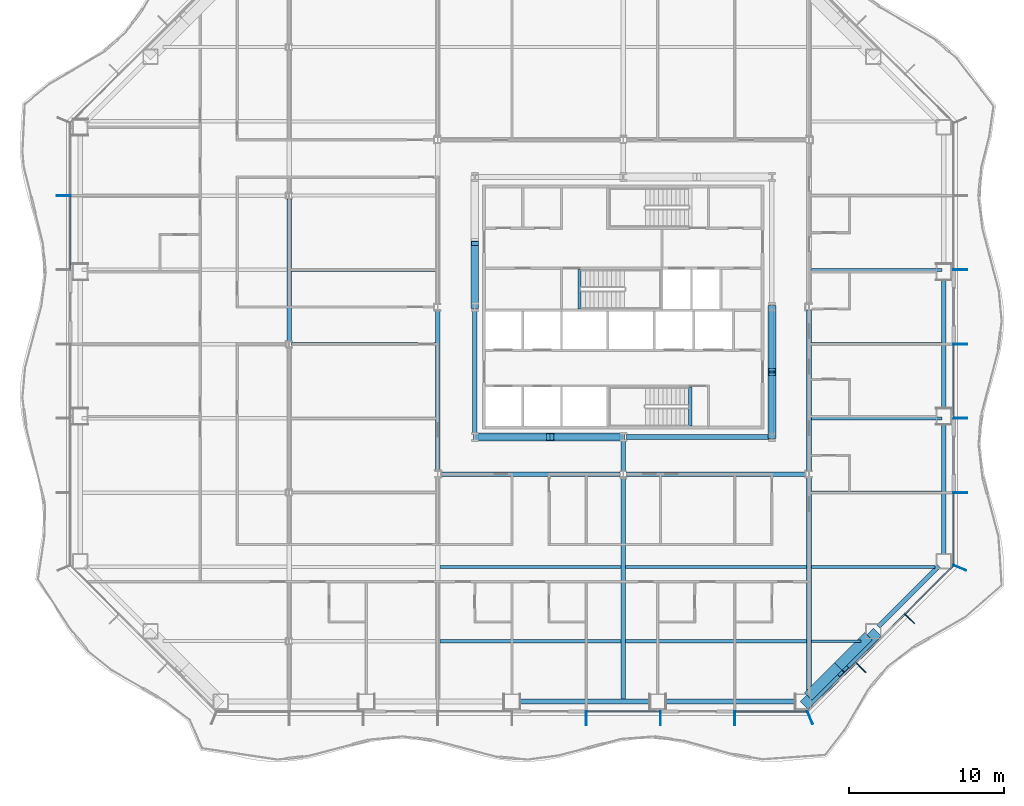
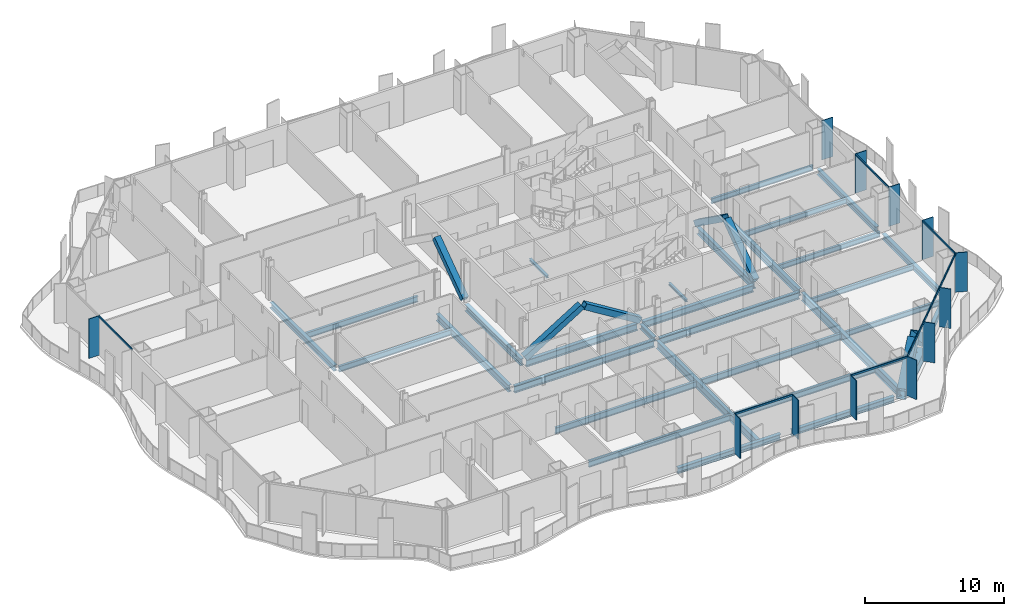
# One storey, part 2 of 21: 33 beams, 27 members, 4 elements without a shape of their own.
"""IFC4 building model written with IfcOpenShell, lengths in metres."""

from ifc_helpers import new_model, si_unit, direction, frame, origin, origin_2d, place, context, subcontext, project, spatial, rectangle, hollow_rectangle, i_section, extrude, material, material_profile, profile_set, type_object, element, aggregate, save


model = new_model("IFC4")

# Units and contexts
model_context = context("Model", 3, precision=1e-05, world=origin(), true_north=direction((0.0, 1.0)))
body_context = subcontext(model_context, "Body", "Model", "MODEL_VIEW")
ifc_project = project(units=[si_unit("LENGTHUNIT", "METRE"), si_unit("AREAUNIT", "SQUARE_METRE"), si_unit("VOLUMEUNIT", "CUBIC_METRE"), si_unit("PLANEANGLEUNIT", "RADIAN"), si_unit("MASSUNIT", "GRAM", prefix="KILO")], contexts=[model_context])

# Site, building, storey
site_placement = place(None, origin())
site = spatial("IfcSite", under=ifc_project, at=site_placement, CompositionType="ELEMENT")
building_placement = place(site_placement, origin())
building = spatial("IfcBuilding", under=site, at=building_placement, Name="Cairn Pilgrim Tower", CompositionType="ELEMENT")
storey_placement = place(building_placement, frame((0.0, 0.0, 43.800048828125)))
storey = spatial("IfcBuildingStorey", under=building, at=storey_placement, Name="L08", CompositionType="ELEMENT", Elevation=43.800048828125)

# Members
ifc_material_1 = material(Name="Structural steel S460M", Category="steel")
ifc_material_profile_1 = material_profile(ifc_material_1, hollow_rectangle(XDim=0.5, YDim=0.5, WallThickness=0.030029296875, at=origin_2d()), Name="BOX 500x500x30")
ifc_profile_set_1 = profile_set([ifc_material_profile_1], Name="Structural steel S460M")
member_type_1 = type_object("IfcMemberType", Name="BOX 500x500x30 BRACE", PredefinedType="BRACE", material=ifc_profile_set_1)
member_1_placement = place(storey_placement, frame((-2.3544921875, -6.0, 0.099853515625), z_axis=(0.850904896844, 0.0, 0.525319765978), x_axis=(0.0, 1.0, 0.0)))
element("IfcMember", 1, at=member_1_placement, inside=storey, type_object=member_type_1, Name="KB-1A", PredefinedType="BRACE", context=body_context, shape_type="SweptSolid", body=[
    extrude(hollow_rectangle(XDim=0.5, YDim=0.5, WallThickness=0.030029296875, at=origin_2d()), origin(), (0.0, 0.0, 1.0), 5.52490234375),
])
member_2_placement = place(storey_placement, frame((7.154541015625, -6.0, 0.099853515625), z_axis=(-0.850919818074, 0.0, 0.52529559603), x_axis=(0.0, -1.0, 0.0)))
element("IfcMember", 2, at=member_2_placement, inside=storey, type_object=member_type_1, Name="KB-1B", PredefinedType="BRACE", context=body_context, shape_type="SweptSolid", body=[
    extrude(hollow_rectangle(XDim=0.5, YDim=0.5, WallThickness=0.030029296875, at=origin_2d()), origin(), (0.0, 0.0, 1.0), 5.375),
])
for number, where, z_axis, x_axis, name in (
    (3, (16.800048828125, -5.95458984375, 0.099853515625), (0.0, 0.814060275911, 0.580780394972), (-1.0, 0.0, 0.0), "KB-2A"),
    (4, (16.800048828125, 2.3544921875, 0.099853515625), (0.0, -0.814043789138, 0.580803503232), (1.0, 0.0, 0.0), "KB-2B"),
    (5, (-2.39990234375, 2.4453125, 0.099853515625), (0.0, 0.814060275911, 0.580780394972), (-1.0, 0.0, 0.0), "KB-4B"),
):
    element("IfcMember", number, at=place(storey_placement, frame(where, z_axis=z_axis, x_axis=x_axis)), inside=storey, type_object=member_type_1, Name=name, PredefinedType="BRACE", context=body_context, shape_type="SweptSolid", body=[
        extrude(hollow_rectangle(XDim=0.5, YDim=0.5, WallThickness=0.030029296875, at=origin_2d()), origin(), (0.0, 0.0, 1.0), 4.9951171875),
    ])
ifc_material_profile_2 = material_profile(ifc_material_1, hollow_rectangle(XDim=0.699951171875, YDim=0.699951171875, WallThickness=0.0400390625, at=origin_2d()), Name="BOX 700x700x40")
ifc_profile_set_2 = profile_set([ifc_material_profile_2], Name="Structural steel S460M")
member_type_2 = type_object("IfcMemberType", Name="BOX 700x700x40 BRACE", PredefinedType="BRACE", material=ifc_profile_set_2)
member_3_placement = place(storey_placement, frame((19.0498046875, -23.181396484375, 0.14990234375), z_axis=(0.528096125699, 0.528096125699, 0.665002980477), x_axis=(-0.707106781187, 0.707106781187, 0.0)))
element("IfcMember", 6, at=member_3_placement, inside=storey, type_object=member_type_2, Name="XB-SE1-SE2-1", PredefinedType="BRACE", context=body_context, shape_type="SweptSolid", body=[
    extrude(hollow_rectangle(XDim=0.699951171875, YDim=0.699951171875, WallThickness=0.0400390625, at=origin_2d()), origin(), (0.0, 0.0, 1.0), 3.89990234375),
])
member_4_placement = place(storey_placement, frame((23.44482421875, -18.786376953125, 0.14990234375), z_axis=(-0.528068439288, -0.528068439288, 0.665046950866), x_axis=(0.707106781187, -0.707106781187, 0.0)))
element("IfcMember", 7, at=member_4_placement, inside=storey, type_object=member_type_2, Name="XB-SE1-SE2-2", PredefinedType="BRACE", context=body_context, shape_type="SweptSolid", body=[
    extrude(hollow_rectangle(XDim=0.699951171875, YDim=0.699951171875, WallThickness=0.0400390625, at=origin_2d()), origin(), (0.0, 0.0, 1.0), 3.899658203125),
])

# Beams
ifc_material_2 = material(Name="Structural steel S355J2", Category="steel")
ifc_material_profile_3 = material_profile(ifc_material_2, hollow_rectangle(XDim=0.699951171875, YDim=0.800048828125, WallThickness=0.0400390625, at=origin_2d()), Name="BOX 700x800x40")
ifc_profile_set_3 = profile_set([ifc_material_profile_3], Name="Structural steel S355J2")
beam_type_1 = type_object("IfcBeamType", Name="BOX 700x800x40 RING GIRDER", PredefinedType="SPANDREL", material=ifc_profile_set_3)
for number, where, z_axis, x_axis, name in (
    (8, (19.1455078125, -22.78173828125, -0.550048828125), (0.707106781187, 0.707106781187, 0.0), (-0.707106781187, 0.707106781187, 0.0), "RG1-SE1-SE2-1"),
    (9, (21.095458984375, -20.831787109375, -0.550048828125), (0.707106781187, 0.707106781187, 0.0), (-0.707106781187, 0.707106781187, 0.0), "RG1-SE1-SE2-2"),
):
    element("IfcBeam", number, at=place(storey_placement, frame(where, z_axis=z_axis, x_axis=x_axis)), inside=storey, type_object=beam_type_1, Name=name, PredefinedType="SPANDREL", context=body_context, shape_type="SweptSolid", body=[
        extrude(hollow_rectangle(XDim=0.699951171875, YDim=0.800048828125, WallThickness=0.0400390625, at=origin_2d()), origin(), (0.0, 0.0, 1.0), 2.757568359375),
    ])

# Curtain wall, members
ifc_material_3 = material(Name="Aluminium alloy 6063-T6 bronze anodised with Bronze tinted laminated low-E glass 8+16+8.8", Category="aluminium")
curtain_wall_type_1 = type_object("IfcCurtainWallType", Name="TOWER STICK CURTAIN WALL NS", PredefinedType="NOTDEFINED", material=ifc_material_3)
curtain_wall_1_placement = place(storey_placement, origin())
curtain_wall_1 = element("IfcCurtainWall", 10, at=curtain_wall_1_placement, inside=storey, type_object=curtain_wall_type_1, Name="Tower Stick Curtain Wall Ns S", PredefinedType="NOTDEFINED")
ifc_material_4 = material(Name="Aluminium alloy 6063-T6 bronze anodised", Category="aluminium")
ifc_material_profile_4 = material_profile(ifc_material_4, rectangle(XDim=0.89990234375, YDim=0.06005859375, at=origin_2d()), Name="FIN MULLION 60x900 BRONZE")
ifc_profile_set_4 = profile_set([ifc_material_profile_4], Name="Aluminium alloy 6063-T6 bronze anodised")
member_type_3 = type_object("IfcMemberType", Name="FIN MULLION 60x900 BRONZE", PredefinedType="MULLION", material=ifc_profile_set_4)
member_5_placement = place(storey_placement, frame((4.800048828125, -24.169921875, 0.0), z_axis=(0.0, 0.0, 1.0), x_axis=(0.0, -1.0, 0.0)))
member_5 = element("IfcMember", 11, at=member_5_placement, type_object=member_type_3, Name="Fin mullion S6", PredefinedType="MULLION", context=body_context, shape_type="SweptSolid", body=[
    extrude(rectangle(XDim=0.89990234375, YDim=0.06005859375, at=origin_2d()), origin(), (0.0, 0.0, 1.0), 3.449951171875),
])
member_6_placement = place(storey_placement, frame((9.60009765625, -24.169921875, 0.0), z_axis=(0.0, 0.0, 1.0), x_axis=(0.0, -1.0, 0.0)))
member_6 = element("IfcMember", 12, at=member_6_placement, type_object=member_type_3, Name="Fin mullion S7", PredefinedType="MULLION", context=body_context, shape_type="SweptSolid", body=[
    extrude(rectangle(XDim=0.89990234375, YDim=0.06005859375, at=origin_2d()), origin(), (0.0, 0.0, 1.0), 3.449951171875),
])
member_7_placement = place(storey_placement, frame((14.39990234375, -24.169921875, 0.0), z_axis=(0.0, 0.0, 1.0), x_axis=(0.0, -1.0, 0.0)))
member_7 = element("IfcMember", 13, at=member_7_placement, type_object=member_type_3, Name="Fin mullion S8", PredefinedType="MULLION", context=body_context, shape_type="SweptSolid", body=[
    extrude(rectangle(XDim=0.89990234375, YDim=0.06005859375, at=origin_2d()), origin(), (0.0, 0.0, 1.0), 3.449951171875),
])

curtain_wall_type_2 = type_object("IfcCurtainWallType", Name="CHAMFER CORNER CURTAIN WALL", PredefinedType="NOTDEFINED", material=ifc_material_3)
curtain_wall_2_placement = place(storey_placement, origin())
curtain_wall_2 = element("IfcCurtainWall", 14, at=curtain_wall_2_placement, inside=storey, type_object=curtain_wall_type_2, Name="Chamfer Corner Curtain Wall SE", PredefinedType="NOTDEFINED")
member_8_placement = place(storey_placement, frame((19.257080078125, -24.137939453125, 0.0), z_axis=(0.0, 0.0, 1.0), x_axis=(0.382683432365, -0.923879532511, 0.0)))
member_8 = element("IfcMember", 15, at=member_8_placement, type_object=member_type_3, Name="Fin mullion SE1", PredefinedType="MULLION", context=body_context, shape_type="SweptSolid", body=[
    extrude(rectangle(XDim=0.89990234375, YDim=0.06005859375, at=origin_2d()), origin(), (0.0, 0.0, 1.0), 3.449951171875),
])
member_9_placement = place(storey_placement, frame((22.544677734375, -20.895751953125, 0.0), z_axis=(0.0, 0.0, 1.0), x_axis=(0.707106781187, -0.707106781187, 0.0)))
member_9 = element("IfcMember", 16, at=member_9_placement, type_object=member_type_3, Name="Fin mullion SE2", PredefinedType="MULLION", context=body_context, shape_type="SweptSolid", body=[
    extrude(rectangle(XDim=0.89990234375, YDim=0.06005859375, at=origin_2d()), origin(), (0.0, 0.0, 1.0), 3.449951171875),
])
member_10_placement = place(storey_placement, frame((25.69580078125, -17.74462890625, 0.0), z_axis=(0.0, 0.0, 1.0), x_axis=(0.707106781187, -0.707106781187, 0.0)))
member_10 = element("IfcMember", 17, at=member_10_placement, type_object=member_type_3, Name="Fin mullion SE3", PredefinedType="MULLION", context=body_context, shape_type="SweptSolid", body=[
    extrude(rectangle(XDim=0.89990234375, YDim=0.06005859375, at=origin_2d()), origin(), (0.0, 0.0, 1.0), 3.449951171875),
])

curtain_wall_type_3 = type_object("IfcCurtainWallType", Name="TOWER STICK CURTAIN WALL EW", PredefinedType="NOTDEFINED", material=ifc_material_3)
curtain_wall_3_placement = place(storey_placement, origin())
curtain_wall_3 = element("IfcCurtainWall", 18, at=curtain_wall_3_placement, inside=storey, type_object=curtain_wall_type_3, Name="Tower Stick Curtain Wall Ew E", PredefinedType="NOTDEFINED")
member_11_placement = place(storey_placement, frame((28.93798828125, -14.457275390625, 0.0), z_axis=(0.0, 0.0, 1.0), x_axis=(0.923879532511, -0.382683432365, 0.0)))
member_11 = element("IfcMember", 19, at=member_11_placement, type_object=member_type_3, Name="Fin mullion E1", PredefinedType="MULLION", context=body_context, shape_type="SweptSolid", body=[
    extrude(rectangle(XDim=0.89990234375, YDim=0.06005859375, at=origin_2d()), origin(), (0.0, 0.0, 1.0), 3.449951171875),
])
member_12_placement = place(storey_placement, frame((28.969970703125, -9.60009765625, 0.0), z_axis=(0.0, 0.0, 1.0), x_axis=(1.0, 0.0, 0.0)))
member_12 = element("IfcMember", 20, at=member_12_placement, type_object=member_type_3, Name="Fin mullion E2", PredefinedType="MULLION", context=body_context, shape_type="SweptSolid", body=[
    extrude(rectangle(XDim=0.89990234375, YDim=0.06005859375, at=origin_2d()), origin(), (0.0, 0.0, 1.0), 3.449951171875),
])
member_13_placement = place(storey_placement, frame((28.969970703125, -4.800048828125, 0.0), z_axis=(0.0, 0.0, 1.0), x_axis=(1.0, 0.0, 0.0)))
member_13 = element("IfcMember", 21, at=member_13_placement, type_object=member_type_3, Name="Fin mullion E3", PredefinedType="MULLION", context=body_context, shape_type="SweptSolid", body=[
    extrude(rectangle(XDim=0.89990234375, YDim=0.06005859375, at=origin_2d()), origin(), (0.0, 0.0, 1.0), 3.449951171875),
])
member_14_placement = place(storey_placement, frame((28.969970703125, 0.0, 0.0), z_axis=(0.0, 0.0, 1.0), x_axis=(1.0, 0.0, 0.0)))
member_14 = element("IfcMember", 22, at=member_14_placement, type_object=member_type_3, Name="Fin mullion E4", PredefinedType="MULLION", context=body_context, shape_type="SweptSolid", body=[
    extrude(rectangle(XDim=0.89990234375, YDim=0.06005859375, at=origin_2d()), origin(), (0.0, 0.0, 1.0), 3.449951171875),
])
member_15_placement = place(storey_placement, frame((28.969970703125, 4.800048828125, 0.0), z_axis=(0.0, 0.0, 1.0), x_axis=(1.0, 0.0, 0.0)))
member_15 = element("IfcMember", 23, at=member_15_placement, type_object=member_type_3, Name="Fin mullion E5", PredefinedType="MULLION", context=body_context, shape_type="SweptSolid", body=[
    extrude(rectangle(XDim=0.89990234375, YDim=0.06005859375, at=origin_2d()), origin(), (0.0, 0.0, 1.0), 3.449951171875),
])

# Curtain wall, member
curtain_wall_4_placement = place(storey_placement, origin())
curtain_wall_4 = element("IfcCurtainWall", 24, at=curtain_wall_4_placement, inside=storey, type_object=curtain_wall_type_3, Name="Tower Stick Curtain Wall Ew W", PredefinedType="NOTDEFINED")
member_16_placement = place(storey_placement, frame((-28.969970703125, 9.60009765625, 0.0), z_axis=(0.0, 0.0, 1.0), x_axis=(-1.0, 0.0, 0.0)))
member_16 = element("IfcMember", 25, at=member_16_placement, type_object=member_type_3, Name="Fin mullion W2", PredefinedType="MULLION", context=body_context, shape_type="SweptSolid", body=[
    extrude(rectangle(XDim=0.89990234375, YDim=0.06005859375, at=origin_2d()), origin(), (0.0, 0.0, 1.0), 3.449951171875),
])

# Beams
ifc_material_profile_5 = material_profile(ifc_material_2, i_section(OverallWidth=0.300048828125, OverallDepth=0.39990234375, WebThickness=0.013427734375, FlangeThickness=0.02392578125, FilletRadius=0.027099609375, at=origin_2d()), Name="HEB 400")
ifc_profile_set_5 = profile_set([ifc_material_profile_5], Name="Structural steel S355J2")
beam_type_2 = type_object("IfcBeamType", Name="HEB 400 GIRDER", PredefinedType="BEAM", material=ifc_profile_set_5)
beam_1_placement = place(storey_placement, frame((7.199951171875, -8.18798828125, -0.35009765625), z_axis=(0.0, 1.0, 0.0), x_axis=(-1.0, 0.0, 0.0)))
element("IfcBeam", 26, at=beam_1_placement, inside=storey, type_object=beam_type_2, Name="PG3-E1", PredefinedType="BEAM", context=body_context, shape_type="SweptSolid", body=[
    extrude(i_section(OverallWidth=0.300048828125, OverallDepth=0.39990234375, WebThickness=0.013427734375, FlangeThickness=0.02392578125, FilletRadius=0.027099609375, at=origin_2d()), origin(), (0.0, 0.0, 1.0), 1.9609375),
])
ifc_material_profile_6 = material_profile(ifc_material_2, i_section(OverallWidth=0.300048828125, OverallDepth=0.5, WebThickness=0.014404296875, FlangeThickness=0.028076171875, FilletRadius=0.027099609375, at=origin_2d()), Name="HEB 500")
ifc_profile_set_6 = profile_set([ifc_material_profile_6], Name="Structural steel S355J2")
beam_type_3 = type_object("IfcBeamType", Name="HEB 500 GIRDER", PredefinedType="BEAM", material=ifc_profile_set_6)
beam_2_placement = place(storey_placement, frame((-14.39990234375, 0.20458984375, -0.400146484375), z_axis=(0.0, 1.0, 0.0), x_axis=(-1.0, 0.0, 0.0)))
element("IfcBeam", 27, at=beam_2_placement, inside=storey, type_object=beam_type_3, Name="PG1-4", PredefinedType="BEAM", context=body_context, shape_type="SweptSolid", body=[
    extrude(i_section(OverallWidth=0.300048828125, OverallDepth=0.5, WebThickness=0.014404296875, FlangeThickness=0.028076171875, FilletRadius=0.027099609375, at=origin_2d()), origin(), (0.0, 0.0, 1.0), 9.19091796875),
])
ifc_material_profile_7 = material_profile(ifc_material_2, i_section(OverallWidth=0.300048828125, OverallDepth=0.5, WebThickness=0.014404296875, FlangeThickness=0.028076171875, FilletRadius=0.027099609375, at=origin_2d()), Name="HEB 500")
ifc_profile_set_7 = profile_set([ifc_material_profile_7], Name="Structural steel S355J2")
beam_type_4 = type_object("IfcBeamType", Name="HEB 500 RING GIRDER", PredefinedType="SPANDREL", material=ifc_profile_set_7)
for number, where, z_axis, x_axis, name in (
    (28, (0.449951171875, -23.10009765625, -0.400146484375), (1.0, 0.0, 0.0), (0.0, 1.0, 0.0), "RG1-S3-S4"),
    (29, (9.863525390625, -23.10009765625, -0.400146484375), (1.0, 0.0, 0.0), (0.0, 1.0, 0.0), "RG1-S4-SE1"),
):
    element("IfcBeam", number, at=place(storey_placement, frame(where, z_axis=z_axis, x_axis=x_axis)), inside=storey, type_object=beam_type_4, Name=name, PredefinedType="SPANDREL", context=body_context, shape_type="SweptSolid", body=[
        extrude(i_section(OverallWidth=0.300048828125, OverallDepth=0.5, WebThickness=0.014404296875, FlangeThickness=0.028076171875, FilletRadius=0.027099609375, at=origin_2d()), origin(), (0.0, 0.0, 1.0), 8.513671875),
    ])
beam_3_placement = place(storey_placement, frame((23.681884765625, -18.245361328125, -0.400146484375), z_axis=(0.707106781187, 0.707106781187, 0.0), x_axis=(-0.707106781187, 0.707106781187, 0.0)))
element("IfcBeam", 30, at=beam_3_placement, inside=storey, type_object=beam_type_4, Name="RG1-SE2-E1", PredefinedType="SPANDREL", context=body_context, shape_type="SweptSolid", body=[
    extrude(i_section(OverallWidth=0.300048828125, OverallDepth=0.5, WebThickness=0.014404296875, FlangeThickness=0.028076171875, FilletRadius=0.027099609375, at=origin_2d()), origin(), (0.0, 0.0, 1.0), 5.515380859375),
])
beam_4_placement = place(storey_placement, frame((27.89990234375, -13.5771484375, -0.400146484375), z_axis=(0.0, 1.0, 0.0), x_axis=(-1.0, 0.0, 0.0)))
element("IfcBeam", 31, at=beam_4_placement, inside=storey, type_object=beam_type_4, Name="RG1-E1-E2", PredefinedType="SPANDREL", context=body_context, shape_type="SweptSolid", body=[
    extrude(i_section(OverallWidth=0.300048828125, OverallDepth=0.5, WebThickness=0.014404296875, FlangeThickness=0.028076171875, FilletRadius=0.027099609375, at=origin_2d()), origin(), (0.0, 0.0, 1.0), 8.451416015625),
])
beam_5_placement = place(storey_placement, frame((27.89990234375, -4.2255859375, -0.400146484375), z_axis=(0.0, 1.0, 0.0), x_axis=(-1.0, 0.0, 0.0)))
element("IfcBeam", 32, at=beam_5_placement, inside=storey, type_object=beam_type_4, Name="RG1-E2-E3", PredefinedType="SPANDREL", context=body_context, shape_type="SweptSolid", body=[
    extrude(i_section(OverallWidth=0.300048828125, OverallDepth=0.5, WebThickness=0.014404296875, FlangeThickness=0.028076171875, FilletRadius=0.027099609375, at=origin_2d()), origin(), (0.0, 0.0, 1.0), 8.451171875),
])
ifc_material_profile_8 = material_profile(ifc_material_2, i_section(OverallWidth=0.300048828125, OverallDepth=0.60009765625, WebThickness=0.015380859375, FlangeThickness=0.030029296875, FilletRadius=0.027099609375, at=origin_2d()), Name="HEB 600")
ifc_profile_set_8 = profile_set([ifc_material_profile_8], Name="Structural steel S355J2")
beam_type_5 = type_object("IfcBeamType", Name="HEB 600 CORE BEAM", PredefinedType="BEAM", material=ifc_profile_set_8)
for number, where, z_axis, x_axis, name in (
    (33, (-2.19580078125, -6.0, -0.449951171875), (1.0, 0.0, 0.0), (0.0, 1.0, 0.0), "CB-1"),
    (34, (7.404296875, -6.0, -0.449951171875), (1.0, 0.0, 0.0), (0.0, 1.0, 0.0), "CB-2"),
):
    element("IfcBeam", number, at=place(storey_placement, frame(where, z_axis=z_axis, x_axis=x_axis)), inside=storey, type_object=beam_type_5, Name=name, PredefinedType="BEAM", context=body_context, shape_type="SweptSolid", body=[
        extrude(i_section(OverallWidth=0.300048828125, OverallDepth=0.60009765625, WebThickness=0.015380859375, FlangeThickness=0.030029296875, FilletRadius=0.027099609375, at=origin_2d()), origin(), (0.0, 0.0, 1.0), 9.19140625),
    ])
for number, where, z_axis, x_axis, name in (
    (35, (16.800048828125, -5.795654296875, -0.449951171875), (0.0, 1.0, 0.0), (-1.0, 0.0, 0.0), "CB-3"),
    (36, (-2.39990234375, 2.19580078125, -0.449951171875), (0.0, -1.0, 0.0), (1.0, 0.0, 0.0), "CB-8"),
):
    element("IfcBeam", number, at=place(storey_placement, frame(where, z_axis=z_axis, x_axis=x_axis)), inside=storey, type_object=beam_type_5, Name=name, PredefinedType="BEAM", context=body_context, shape_type="SweptSolid", body=[
        extrude(i_section(OverallWidth=0.300048828125, OverallDepth=0.60009765625, WebThickness=0.015380859375, FlangeThickness=0.030029296875, FilletRadius=0.027099609375, at=origin_2d()), origin(), (0.0, 0.0, 1.0), 7.991455078125),
    ])
ifc_material_profile_9 = material_profile(ifc_material_2, i_section(OverallWidth=0.300048828125, OverallDepth=0.60009765625, WebThickness=0.015380859375, FlangeThickness=0.030029296875, FilletRadius=0.027099609375, at=origin_2d()), Name="HEB 600")
ifc_profile_set_9 = profile_set([ifc_material_profile_9], Name="Structural steel S355J2")
beam_type_6 = type_object("IfcBeamType", Name="HEB 600 GIRDER", PredefinedType="BEAM", material=ifc_profile_set_9)
for number, where, z_axis, x_axis, name in (
    (37, (-4.800048828125, -8.18798828125, -0.449951171875), (0.0, 1.0, 0.0), (-1.0, 0.0, 0.0), "PG2-2"),
    (38, (19.199951171875, -8.18798828125, -0.449951171875), (0.0, 1.0, 0.0), (-1.0, 0.0, 0.0), "PG4-2"),
):
    element("IfcBeam", number, at=place(storey_placement, frame(where, z_axis=z_axis, x_axis=x_axis)), inside=storey, type_object=beam_type_6, Name=name, PredefinedType="BEAM", context=body_context, shape_type="SweptSolid", body=[
        extrude(i_section(OverallWidth=0.300048828125, OverallDepth=0.60009765625, WebThickness=0.015380859375, FlangeThickness=0.030029296875, FilletRadius=0.027099609375, at=origin_2d()), origin(), (0.0, 0.0, 1.0), 10.3759765625),
    ])
ifc_material_profile_10 = material_profile(ifc_material_2, i_section(OverallWidth=0.300048828125, OverallDepth=0.60009765625, WebThickness=0.015380859375, FlangeThickness=0.030029296875, FilletRadius=0.027099609375, at=origin_2d()), Name="HEB 600")
ifc_profile_set_10 = profile_set([ifc_material_profile_10], Name="Structural steel S355J2")
beam_type_7 = type_object("IfcBeamType", Name="HEB 600 INNER GIRDER", PredefinedType="BEAM", material=ifc_profile_set_10)
for number, where, z_axis, x_axis, name in (
    (39, (-4.587890625, -8.39990234375, -0.449951171875), (1.0, 0.0, 0.0), (0.0, 1.0, 0.0), "IG1-1"),
    (40, (7.412109375, -8.39990234375, -0.449951171875), (1.0, 0.0, 0.0), (0.0, 1.0, 0.0), "IG1-2"),
):
    element("IfcBeam", number, at=place(storey_placement, frame(where, z_axis=z_axis, x_axis=x_axis)), inside=storey, type_object=beam_type_7, Name=name, PredefinedType="BEAM", context=body_context, shape_type="SweptSolid", body=[
        extrude(i_section(OverallWidth=0.300048828125, OverallDepth=0.60009765625, WebThickness=0.015380859375, FlangeThickness=0.030029296875, FilletRadius=0.027099609375, at=origin_2d()), origin(), (0.0, 0.0, 1.0), 11.575927734375),
    ])
ifc_material_profile_11 = material_profile(ifc_material_2, i_section(OverallWidth=0.300048828125, OverallDepth=0.699951171875, WebThickness=0.01708984375, FlangeThickness=0.031982421875, FilletRadius=0.027099609375, at=origin_2d()), Name="HEB 700")
ifc_profile_set_11 = profile_set([ifc_material_profile_11], Name="Structural steel S355J2")
beam_type_8 = type_object("IfcBeamType", Name="HEB 700 GIRDER", PredefinedType="BEAM", material=ifc_profile_set_11)
beam_6_placement = place(storey_placement, frame((7.199951171875, -22.97998046875, -0.5), z_axis=(0.0, 1.0, 0.0), x_axis=(-1.0, 0.0, 0.0)))
element("IfcBeam", 41, at=beam_6_placement, inside=storey, type_object=beam_type_8, Name="PG3-1", PredefinedType="BEAM", context=body_context, shape_type="SweptSolid", body=[
    extrude(i_section(OverallWidth=0.300048828125, OverallDepth=0.699951171875, WebThickness=0.01708984375, FlangeThickness=0.031982421875, FilletRadius=0.027099609375, at=origin_2d()), origin(), (0.0, 0.0, 1.0), 14.367919921875),
])
beam_7_placement = place(storey_placement, frame((19.199951171875, -22.545166015625, -0.5), z_axis=(0.0, 1.0, 0.0), x_axis=(-1.0, 0.0, 0.0)))
element("IfcBeam", 42, at=beam_7_placement, inside=storey, type_object=beam_type_8, Name="PG4-1", PredefinedType="BEAM", context=body_context, shape_type="SweptSolid", body=[
    extrude(i_section(OverallWidth=0.300048828125, OverallDepth=0.699951171875, WebThickness=0.01708984375, FlangeThickness=0.031982421875, FilletRadius=0.027099609375, at=origin_2d()), origin(), (0.0, 0.0, 1.0), 13.93310546875),
])
ifc_material_profile_12 = material_profile(ifc_material_2, i_section(OverallWidth=0.169921875, OverallDepth=0.360107421875, WebThickness=0.008056640625, FlangeThickness=0.0126953125, FilletRadius=0.01806640625, at=origin_2d()), Name="IPE 360")
ifc_profile_set_12 = profile_set([ifc_material_profile_12], Name="Structural steel S355J2")
beam_type_9 = type_object("IfcBeamType", Name="IPE 360 SECONDARY BEAM", PredefinedType="JOIST", material=ifc_profile_set_12)
beam_8_placement = place(storey_placement, frame((19.35009765625, -19.199951171875, -0.330078125), z_axis=(1.0, 0.0, 0.0), x_axis=(0.0, 1.0, 0.0)))
element("IfcBeam", 43, at=beam_8_placement, inside=storey, type_object=beam_type_9, Name="SB1-5", PredefinedType="JOIST", context=body_context, shape_type="SweptSolid", body=[
    extrude(i_section(OverallWidth=0.169921875, OverallDepth=0.360107421875, WebThickness=0.008056640625, FlangeThickness=0.0126953125, FilletRadius=0.01806640625, at=origin_2d()), origin(), (0.0, 0.0, 1.0), 3.195068359375),
])
ifc_material_profile_13 = material_profile(ifc_material_2, i_section(OverallWidth=0.18994140625, OverallDepth=0.449951171875, WebThickness=0.009521484375, FlangeThickness=0.0146484375, FilletRadius=0.02099609375, at=origin_2d()), Name="IPE 450")
ifc_profile_set_13 = profile_set([ifc_material_profile_13], Name="Structural steel S355J2")
beam_type_10 = type_object("IfcBeamType", Name="IPE 450 SECONDARY BEAM", PredefinedType="JOIST", material=ifc_profile_set_13)
beam_9_placement = place(storey_placement, frame((19.35009765625, -14.39990234375, -0.375), z_axis=(1.0, 0.0, 0.0), x_axis=(0.0, 1.0, 0.0)))
element("IfcBeam", 44, at=beam_9_placement, inside=storey, type_object=beam_type_10, Name="SB2-5", PredefinedType="JOIST", context=body_context, shape_type="SweptSolid", body=[
    extrude(i_section(OverallWidth=0.18994140625, OverallDepth=0.449951171875, WebThickness=0.009521484375, FlangeThickness=0.0146484375, FilletRadius=0.02099609375, at=origin_2d()), origin(), (0.0, 0.0, 1.0), 7.9951171875),
])
for number, where, z_axis, x_axis, name in (
    (45, (19.35009765625, -9.60009765625, -0.375), (1.0, 0.0, 0.0), (0.0, 1.0, 0.0), "SB3-3"),
    (46, (19.35009765625, -4.800048828125, -0.375), (1.0, 0.0, 0.0), (0.0, 1.0, 0.0), "SB4-3"),
    (47, (19.35009765625, 0.0, -0.375), (1.0, 0.0, 0.0), (0.0, 1.0, 0.0), "SB5-3"),
    (48, (19.35009765625, 4.800048828125, -0.375), (1.0, 0.0, 0.0), (0.0, 1.0, 0.0), "SB6-3"),
):
    element("IfcBeam", number, at=place(storey_placement, frame(where, z_axis=z_axis, x_axis=x_axis)), inside=storey, type_object=beam_type_10, Name=name, PredefinedType="JOIST", context=body_context, shape_type="SweptSolid", body=[
        extrude(i_section(OverallWidth=0.18994140625, OverallDepth=0.449951171875, WebThickness=0.009521484375, FlangeThickness=0.0146484375, FilletRadius=0.02099609375, at=origin_2d()), origin(), (0.0, 0.0, 1.0), 8.429931640625),
    ])
ifc_material_profile_14 = material_profile(ifc_material_2, i_section(OverallWidth=0.199951171875, OverallDepth=0.5, WebThickness=0.01025390625, FlangeThickness=0.01611328125, FilletRadius=0.02099609375, at=origin_2d()), Name="IPE 500")
ifc_profile_set_14 = profile_set([ifc_material_profile_14], Name="Structural steel S355J2")
beam_type_11 = type_object("IfcBeamType", Name="IPE 500 SECONDARY BEAM", PredefinedType="JOIST", material=ifc_profile_set_14)
for number, where, z_axis, x_axis, name in (
    (49, (-14.25, 0.0, -0.400146484375), (1.0, 0.0, 0.0), (0.0, 1.0, 0.0), "SB5-2"),
    (50, (-14.25, 4.800048828125, -0.400146484375), (1.0, 0.0, 0.0), (0.0, 1.0, 0.0), "SB6-2"),
):
    element("IfcBeam", number, at=place(storey_placement, frame(where, z_axis=z_axis, x_axis=x_axis)), inside=storey, type_object=beam_type_11, Name=name, PredefinedType="JOIST", context=body_context, shape_type="SweptSolid", body=[
        extrude(i_section(OverallWidth=0.199951171875, OverallDepth=0.5, WebThickness=0.01025390625, FlangeThickness=0.01611328125, FilletRadius=0.02099609375, at=origin_2d()), origin(), (0.0, 0.0, 1.0), 9.300048828125),
    ])
ifc_material_profile_15 = material_profile(ifc_material_2, i_section(OverallWidth=0.2099609375, OverallDepth=0.550048828125, WebThickness=0.010986328125, FlangeThickness=0.01708984375, FilletRadius=0.02392578125, at=origin_2d()), Name="IPE 550")
ifc_profile_set_15 = profile_set([ifc_material_profile_15], Name="Structural steel S355J2")
beam_type_12 = type_object("IfcBeamType", Name="IPE 550 SECONDARY BEAM", PredefinedType="JOIST", material=ifc_profile_set_15)
for number, where, z_axis, x_axis, name in (
    (51, (-4.64990234375, -19.199951171875, -0.425048828125), (1.0, 0.0, 0.0), (0.0, 1.0, 0.0), "SB1-3"),
    (52, (7.35009765625, -19.199951171875, -0.425048828125), (1.0, 0.0, 0.0), (0.0, 1.0, 0.0), "SB1-4"),
    (53, (-4.64990234375, -14.39990234375, -0.425048828125), (1.0, 0.0, 0.0), (0.0, 1.0, 0.0), "SB2-3"),
    (54, (7.35009765625, -14.39990234375, -0.425048828125), (1.0, 0.0, 0.0), (0.0, 1.0, 0.0), "SB2-4"),
):
    element("IfcBeam", number, at=place(storey_placement, frame(where, z_axis=z_axis, x_axis=x_axis)), inside=storey, type_object=beam_type_12, Name=name, PredefinedType="JOIST", context=body_context, shape_type="SweptSolid", body=[
        extrude(i_section(OverallWidth=0.2099609375, OverallDepth=0.550048828125, WebThickness=0.010986328125, FlangeThickness=0.01708984375, FilletRadius=0.02392578125, at=origin_2d()), origin(), (0.0, 0.0, 1.0), 11.699951171875),
    ])
ifc_material_profile_16 = material_profile(ifc_material_2, i_section(OverallWidth=0.199951171875, OverallDepth=0.199951171875, WebThickness=0.009033203125, FlangeThickness=0.014892578125, FilletRadius=0.01806640625, at=origin_2d()), Name="HE 200 B")
ifc_profile_set_16 = profile_set([ifc_material_profile_16], Name="Structural steel S355J2")
beam_type_13 = type_object("IfcBeamType", Name="STAIR LANDING BEAM HE 200 B", PredefinedType="BEAM", material=ifc_profile_set_16)
beam_10_placement = place(storey_placement, frame((11.5244140625, -2.77490234375, -0.25), z_axis=(0.0, -1.0, 0.0), x_axis=(1.0, 0.0, 0.0)))
element("IfcBeam", 55, at=beam_10_placement, inside=storey, type_object=beam_type_13, Name="STAIR LANDING BEAM LD-HE200B", PredefinedType="BEAM", context=body_context, shape_type="SweptSolid", body=[
    extrude(i_section(OverallWidth=0.199951171875, OverallDepth=0.199951171875, WebThickness=0.009033203125, FlangeThickness=0.014892578125, FilletRadius=0.01806640625, at=origin_2d()), origin(), (0.0, 0.0, 1.0), 2.525146484375),
])
beam_11_placement = place(storey_placement, frame((4.37548828125, 2.27490234375, -0.25), z_axis=(0.0, 1.0, 0.0), x_axis=(-1.0, 0.0, 0.0)))
element("IfcBeam", 56, at=beam_11_placement, inside=storey, type_object=beam_type_13, Name="STAIR LANDING BEAM LD-HE200B", PredefinedType="BEAM", context=body_context, shape_type="SweptSolid", body=[
    extrude(i_section(OverallWidth=0.199951171875, OverallDepth=0.199951171875, WebThickness=0.009033203125, FlangeThickness=0.014892578125, FilletRadius=0.01806640625, at=origin_2d()), origin(), (0.0, 0.0, 1.0), 2.550048828125),
])

# Member
ifc_material_profile_17 = material_profile(ifc_material_4, rectangle(XDim=0.080078125, YDim=0.14990234375, at=origin_2d()), Name="TRANSOM 80x150 BRONZE")
ifc_profile_set_17 = profile_set([ifc_material_profile_17], Name="Aluminium alloy 6063-T6 bronze anodised")
member_type_4 = type_object("IfcMemberType", Name="TRANSOM 80x150 BRONZE", PredefinedType="USERDEFINED", material=ifc_profile_set_17)
member_17_placement = place(storey_placement, frame((4.830078125, -23.75, 3.375), z_axis=(1.0, 0.0, 0.0), x_axis=(0.0, 1.0, 0.0)))
member_17 = element("IfcMember", 57, at=member_17_placement, type_object=member_type_4, Name="Transom S6", ObjectType="TRANSOM", PredefinedType="USERDEFINED", context=body_context, shape_type="SweptSolid", body=[
    extrude(rectangle(XDim=0.080078125, YDim=0.14990234375, at=origin_2d()), origin(), (0.0, 0.0, 1.0), 4.739990234375),
])

member_18_placement = place(storey_placement, frame((14.429931640625, -23.75, 3.375), z_axis=(1.0, 0.0, 0.0), x_axis=(0.0, 1.0, 0.0)))
member_18 = element("IfcMember", 58, at=member_18_placement, type_object=member_type_4, Name="Transom S8", ObjectType="TRANSOM", PredefinedType="USERDEFINED", context=body_context, shape_type="SweptSolid", body=[
    extrude(rectangle(XDim=0.080078125, YDim=0.14990234375, at=origin_2d()), origin(), (0.0, 0.0, 1.0), 4.62646484375),
])

aggregate(curtain_wall_1, [member_5, member_6, member_7, member_17, member_18])

member_19_placement = place(storey_placement, frame((19.124755859375, -23.7216796875, 3.375), z_axis=(0.707106781187, 0.707106781187, 0.0), x_axis=(-0.707106781187, 0.707106781187, 0.0)))
member_19 = element("IfcMember", 59, at=member_19_placement, type_object=member_type_4, Name="Transom SE1", ObjectType="TRANSOM", PredefinedType="USERDEFINED", context=body_context, shape_type="SweptSolid", body=[
    extrude(rectangle(XDim=0.080078125, YDim=0.14990234375, at=origin_2d()), origin(), (0.0, 0.0, 1.0), 4.38623046875),
])

member_20_placement = place(storey_placement, frame((22.268798828125, -20.57763671875, 3.375), z_axis=(0.707106781187, 0.707106781187, 0.0), x_axis=(-0.707106781187, 0.707106781187, 0.0)))
member_20 = element("IfcMember", 60, at=member_20_placement, type_object=member_type_4, Name="Transom SE2", ObjectType="TRANSOM", PredefinedType="USERDEFINED", context=body_context, shape_type="SweptSolid", body=[
    extrude(rectangle(XDim=0.080078125, YDim=0.14990234375, at=origin_2d()), origin(), (0.0, 0.0, 1.0), 4.396728515625),
])

member_21_placement = place(storey_placement, frame((25.419921875, -17.426513671875, 3.375), z_axis=(0.707106781187, 0.707106781187, 0.0), x_axis=(-0.707106781187, 0.707106781187, 0.0)))
member_21 = element("IfcMember", 61, at=member_21_placement, type_object=member_type_4, Name="Transom SE3", ObjectType="TRANSOM", PredefinedType="USERDEFINED", context=body_context, shape_type="SweptSolid", body=[
    extrude(rectangle(XDim=0.080078125, YDim=0.14990234375, at=origin_2d()), origin(), (0.0, 0.0, 1.0), 4.38671875),
])

aggregate(curtain_wall_2, [member_8, member_9, member_10, member_19, member_20, member_21])

member_22_placement = place(storey_placement, frame((28.550048828125, -14.25634765625, 3.375), z_axis=(0.0, 1.0, 0.0), x_axis=(-1.0, 0.0, 0.0)))
member_22 = element("IfcMember", 62, at=member_22_placement, type_object=member_type_4, Name="Transom E1", ObjectType="TRANSOM", PredefinedType="USERDEFINED", context=body_context, shape_type="SweptSolid", body=[
    extrude(rectangle(XDim=0.080078125, YDim=0.14990234375, at=origin_2d()), origin(), (0.0, 0.0, 1.0), 4.62646484375),
])

member_23_placement = place(storey_placement, frame((28.550048828125, -4.77001953125, 3.375), z_axis=(0.0, 1.0, 0.0), x_axis=(-1.0, 0.0, 0.0)))
member_23 = element("IfcMember", 63, at=member_23_placement, type_object=member_type_4, Name="Transom E3", ObjectType="TRANSOM", PredefinedType="USERDEFINED", context=body_context, shape_type="SweptSolid", body=[
    extrude(rectangle(XDim=0.080078125, YDim=0.14990234375, at=origin_2d()), origin(), (0.0, 0.0, 1.0), 4.739990234375),
])

aggregate(curtain_wall_3, [member_11, member_12, member_13, member_14, member_15, member_22, member_23])

member_24_placement = place(storey_placement, frame((-28.550048828125, 9.570068359375, 3.375), z_axis=(0.0, -1.0, 0.0), x_axis=(1.0, 0.0, 0.0)))
member_24 = element("IfcMember", 64, at=member_24_placement, type_object=member_type_4, Name="Transom W2", ObjectType="TRANSOM", PredefinedType="USERDEFINED", context=body_context, shape_type="SweptSolid", body=[
    extrude(rectangle(XDim=0.080078125, YDim=0.14990234375, at=origin_2d()), origin(), (0.0, 0.0, 1.0), 4.739990234375),
])

aggregate(curtain_wall_4, [member_16, member_24])

save(model, "model.ifc")
